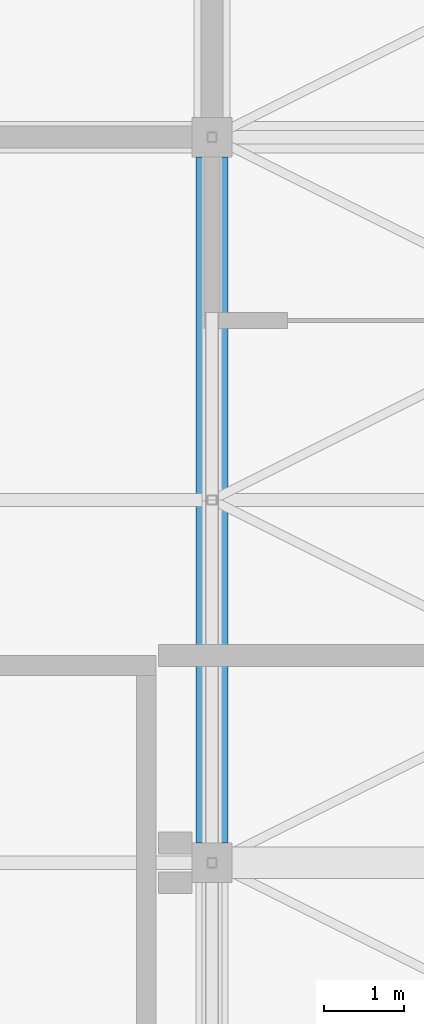
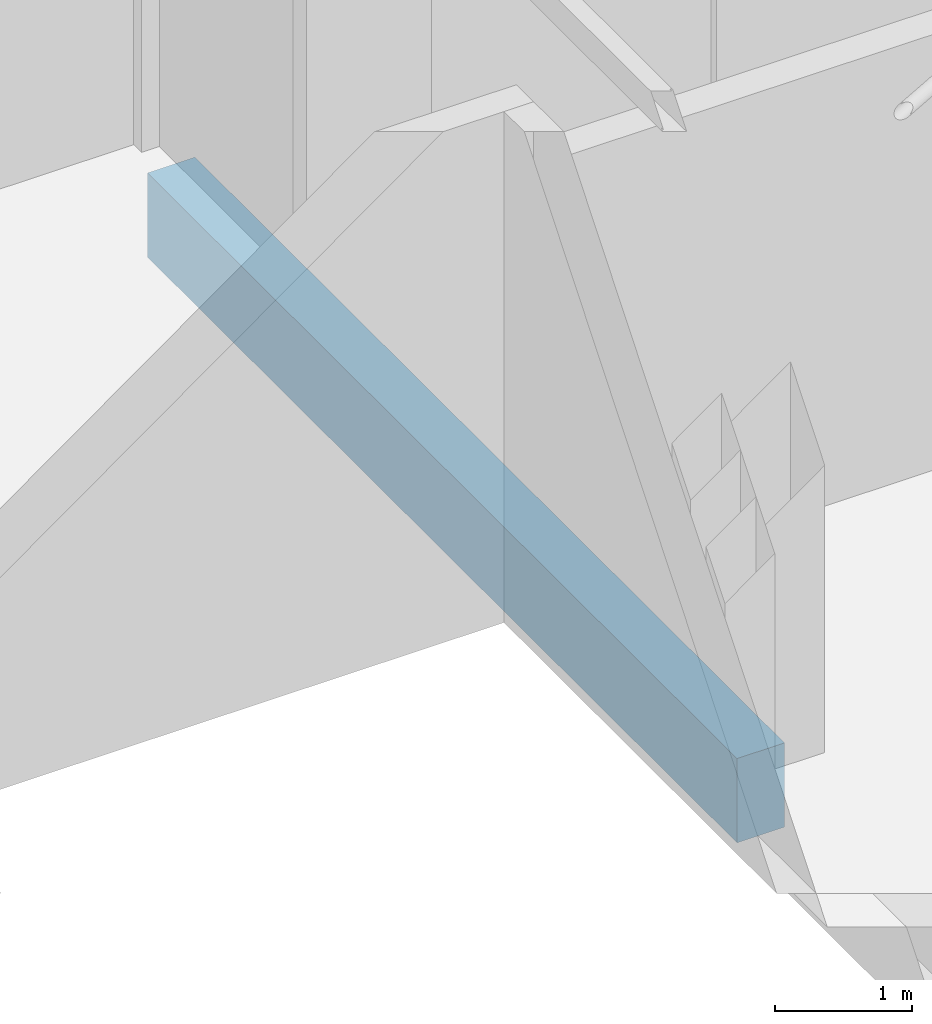
# One storey, part 354 of 500: 1 beam.
"""IFC4 building model written with IfcOpenShell, lengths in metres."""

from ifc_helpers import new_model, si_unit, direction, frame, origin, origin_2d, place, context, subcontext, project, spatial, rectangle, extrude, material, material_profile, profile_set, type_object, element, save


model = new_model("IFC4")

# Units and contexts
model_context = context("Model", 3, precision=1e-05, world=origin(), true_north=direction((0.0, 1.0)))
body_context = subcontext(model_context, "Body", "Model", "MODEL_VIEW")
ifc_project = project(units=[si_unit("LENGTHUNIT", "METRE"), si_unit("AREAUNIT", "SQUARE_METRE"), si_unit("VOLUMEUNIT", "CUBIC_METRE"), si_unit("PLANEANGLEUNIT", "RADIAN"), si_unit("MASSUNIT", "GRAM", prefix="KILO")], contexts=[model_context])

# Site, building, storey
site_placement = place(None, origin())
site = spatial("IfcSite", under=ifc_project, at=site_placement, CompositionType="ELEMENT")
building_placement = place(site_placement, origin())
building = spatial("IfcBuilding", under=site, at=building_placement, Name="Shirokan Park Arena", CompositionType="ELEMENT")
storey_placement = place(building_placement, frame((0.0, 0.0, 29.1201171875)))
storey = spatial("IfcBuildingStorey", under=building, at=storey_placement, Name="L06", CompositionType="ELEMENT", Elevation=29.1201171875)

# Beam
ifc_material = material(Name="Concrete C35", Category="concrete")
ifc_material_profile = material_profile(ifc_material, rectangle(XDim=0.39990234375, YDim=0.75, at=origin_2d()), Name="400x750")
ifc_profile_set = profile_set([ifc_material_profile], Name="Concrete C35")
beam_type = type_object("IfcBeamType", Name="RC girder 400x750", PredefinedType="BEAM", material=ifc_profile_set)
beam_placement = place(storey_placement, frame((136.5, 27.550048828125, -0.5751953125), z_axis=(0.0, 1.0, 0.0), x_axis=(-1.0, 0.0, 0.0)))
element("IfcBeam", 1, at=beam_placement, inside=storey, type_object=beam_type, Name="Girder 16D-16E L06", PredefinedType="BEAM", context=body_context, shape_type="SweptSolid", body=[
    extrude(rectangle(XDim=0.39990234375, YDim=0.75, at=origin_2d()), origin(), (0.0, 0.0, 1.0), 8.599853515625),
])

save(model, "model.ifc")
